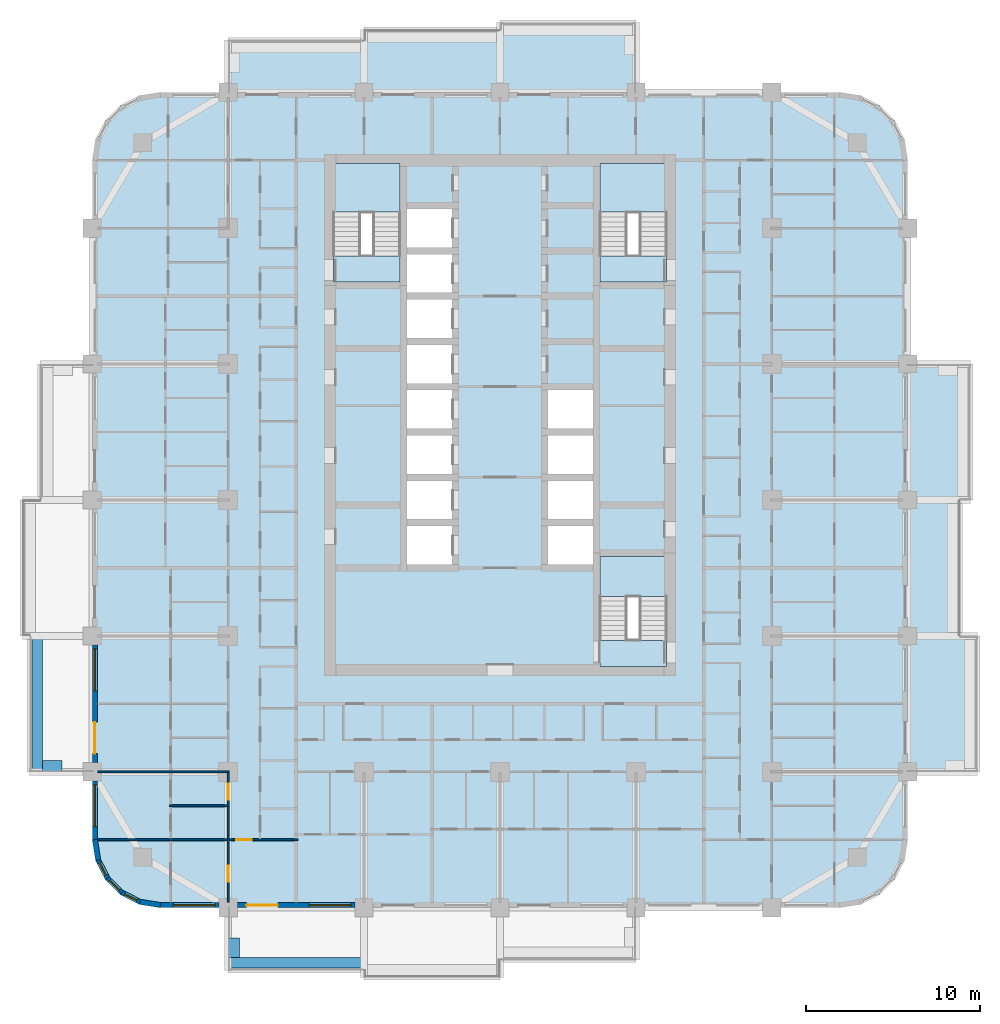
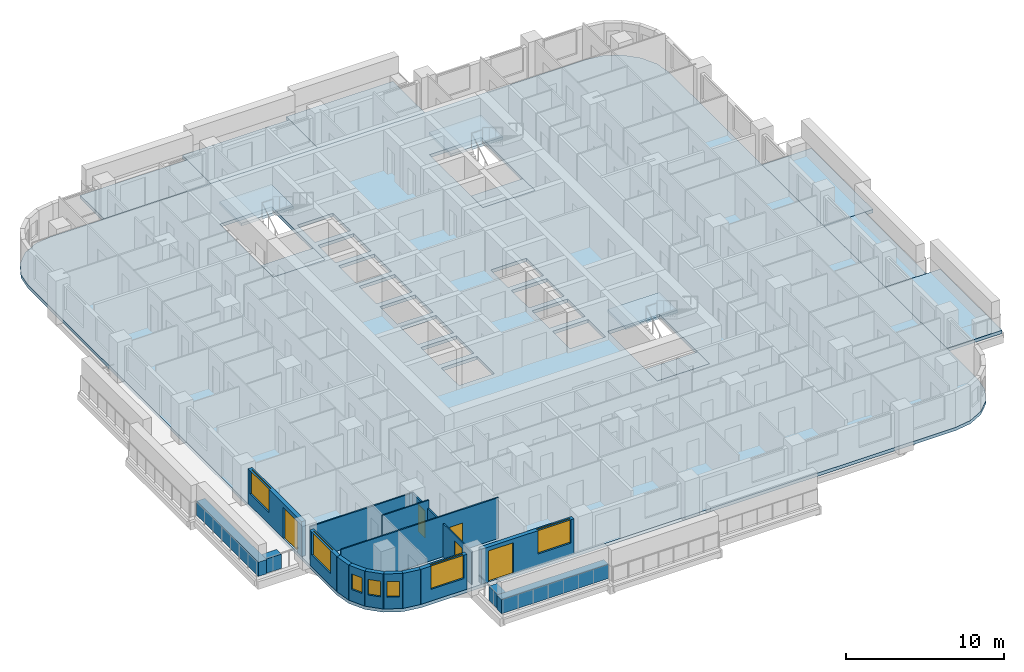
# One storey, part 2 of 17: 17 walls, 13 slabs, 7 windows, 5 doors, 12 openings, 3 elements without a shape of their own.
"""IFC4 building model written with IfcOpenShell, lengths in metres."""

from ifc_helpers import new_model, si_unit, direction, frame, frame_2d, origin, place, context, subcontext, project, spatial, polyline, rectangle, outline, extrude, material, layer, layer_set, type_object, element, fill, aggregate, save


model = new_model("IFC4")

# Units and contexts
model_context = context("Model", 3, precision=1e-05, world=origin(), true_north=direction((0.0, 1.0)))
body_context = subcontext(model_context, "Body", "Model", "MODEL_VIEW")
ifc_project = project(units=[si_unit("LENGTHUNIT", "METRE"), si_unit("AREAUNIT", "SQUARE_METRE"), si_unit("VOLUMEUNIT", "CUBIC_METRE"), si_unit("PLANEANGLEUNIT", "RADIAN"), si_unit("MASSUNIT", "GRAM", prefix="KILO")], contexts=[model_context])

# Site, building, storey
site_placement = place(None, origin())
site = spatial("IfcSite", under=ifc_project, at=site_placement, CompositionType="ELEMENT")
building_placement = place(site_placement, origin())
building = spatial("IfcBuilding", under=site, at=building_placement, Name="Ludao Terraces", CompositionType="ELEMENT")
storey_placement = place(building_placement, frame((0.0, 0.0, 54.60009765625)))
storey = spatial("IfcBuildingStorey", under=building, at=storey_placement, Name="L14", CompositionType="ELEMENT", Elevation=54.60009765625)

# Slabs
ifc_material_1 = material(Name="Concrete C40", Category="concrete")
ifc_layer_1 = layer(ifc_material_1, 0.25)
ifc_layer_set_1 = layer_set([ifc_layer_1], Name="Balcony slab 250 C40")
slab_type_1 = type_object("IfcSlabType", Name="Balcony slab 250 C40", PredefinedType="USERDEFINED", material=ifc_layer_set_1)
slab_1_placement = place(storey_placement, frame((0.0, 0.0, -0.25)))
element("IfcSlab", 1, at=slab_1_placement, inside=storey, type_object=slab_type_1, Name="Balcony L14 E1", ObjectType="BALCONY", PredefinedType="USERDEFINED", context=body_context, shape_type="SweptSolid", body=[
    extrude(outline(polyline([(108.39990234375, 49.39990234375), (112.39990234375, 49.39990234375), (112.39990234375, 57.199951171875), (108.39990234375, 57.199951171875), (108.39990234375, 49.39990234375)])), origin(), (0.0, 0.0, 1.0), 0.25),
])
slab_2_placement = place(storey_placement, frame((0.0, 0.0, -0.25)))
element("IfcSlab", 2, at=slab_2_placement, inside=storey, type_object=slab_type_1, Name="Balcony L14 E2", ObjectType="BALCONY", PredefinedType="USERDEFINED", context=body_context, shape_type="SweptSolid", body=[
    extrude(outline(polyline([(108.39990234375, 57.199951171875), (111.39990234375, 57.199951171875), (111.39990234375, 65.0), (108.39990234375, 65.0), (108.39990234375, 57.199951171875)])), origin(), (0.0, 0.0, 1.0), 0.25),
])
slab_3_placement = place(storey_placement, frame((0.0, 0.0, -0.25)))
element("IfcSlab", 3, at=slab_3_placement, inside=storey, type_object=slab_type_1, Name="Balcony L14 E3", ObjectType="BALCONY", PredefinedType="USERDEFINED", context=body_context, shape_type="SweptSolid", body=[
    extrude(outline(polyline([(108.39990234375, 65.0), (112.0, 65.0), (112.0, 72.800048828125), (108.39990234375, 72.800048828125), (108.39990234375, 65.0)])), origin(), (0.0, 0.0, 1.0), 0.25),
])
slab_4_placement = place(storey_placement, frame((0.0, 0.0, -0.25)))
element("IfcSlab", 4, at=slab_4_placement, inside=storey, type_object=slab_type_1, Name="Balcony L14 N1", ObjectType="BALCONY", PredefinedType="USERDEFINED", context=body_context, shape_type="SweptSolid", body=[
    extrude(outline(polyline([(69.39990234375, 88.39990234375), (77.199951171875, 88.39990234375), (77.199951171875, 91.39990234375), (69.39990234375, 91.39990234375), (69.39990234375, 88.39990234375)])), origin(), (0.0, 0.0, 1.0), 0.25),
])
slab_5_placement = place(storey_placement, frame((0.0, 0.0, -0.25)))
element("IfcSlab", 5, at=slab_5_placement, inside=storey, type_object=slab_type_1, Name="Balcony L14 N2", ObjectType="BALCONY", PredefinedType="USERDEFINED", context=body_context, shape_type="SweptSolid", body=[
    extrude(outline(polyline([(77.199951171875, 88.39990234375), (85.0, 88.39990234375), (85.0, 92.0), (77.199951171875, 92.0), (77.199951171875, 88.39990234375)])), origin(), (0.0, 0.0, 1.0), 0.25),
])
slab_6_placement = place(storey_placement, frame((0.0, 0.0, -0.25)))
element("IfcSlab", 6, at=slab_6_placement, inside=storey, type_object=slab_type_1, Name="Balcony L14 N3", ObjectType="BALCONY", PredefinedType="USERDEFINED", context=body_context, shape_type="SweptSolid", body=[
    extrude(outline(polyline([(85.0, 88.39990234375), (92.800048828125, 88.39990234375), (92.800048828125, 92.39990234375), (85.0, 92.39990234375), (85.0, 88.39990234375)])), origin(), (0.0, 0.0, 1.0), 0.25),
])
ifc_layer_2 = layer(ifc_material_1, 0.25)
ifc_layer_set_2 = layer_set([ifc_layer_2], Name="Floor slab 250 C40")
slab_type_2 = type_object("IfcSlabType", Name="Floor slab 250 C40", PredefinedType="FLOOR", material=ifc_layer_set_2)
slab_7_placement = place(storey_placement, frame((0.0, 0.0, -0.25)))
element("IfcSlab", 7, at=slab_7_placement, inside=storey, type_object=slab_type_2, Name="Slab L14", PredefinedType="FLOOR", context=body_context, shape_type="SweptSolid", body=[
    extrude(outline(polyline([(104.5, 41.60009765625), (105.705078125, 41.790771484375), (106.79248046875, 42.3447265625), (107.6552734375, 43.20751953125), (108.209228515625, 44.294921875), (108.39990234375, 45.5), (108.39990234375, 84.5), (108.209228515625, 85.705078125), (107.6552734375, 86.79248046875), (106.79248046875, 87.6552734375), (105.705078125, 88.209228515625), (104.5, 88.39990234375), (65.5, 88.39990234375), (64.294921875, 88.209228515625), (63.20751953125, 87.6552734375), (62.3447265625, 86.79248046875), (61.790771484375, 85.705078125), (61.60009765625, 84.5), (61.60009765625, 45.5), (61.790771484375, 44.294921875), (62.3447265625, 43.20751953125), (63.20751953125, 42.3447265625), (64.294921875, 41.790771484375), (65.5, 41.60009765625), (104.5, 41.60009765625)]), holes=[polyline([(79.64990234375, 61.300048828125), (82.25, 61.300048828125), (82.25, 63.5), (79.64990234375, 63.5), (79.64990234375, 61.300048828125)]), polyline([(79.64990234375, 63.89990234375), (82.25, 63.89990234375), (82.25, 66.10009765625), (79.64990234375, 66.10009765625), (79.64990234375, 63.89990234375)]), polyline([(79.64990234375, 66.5), (82.25, 66.5), (82.25, 68.699951171875), (79.64990234375, 68.699951171875), (79.64990234375, 66.5)]), polyline([(79.64990234375, 69.10009765625), (82.25, 69.10009765625), (82.25, 71.300048828125), (79.64990234375, 71.300048828125), (79.64990234375, 69.10009765625)]), polyline([(79.64990234375, 71.699951171875), (82.25, 71.699951171875), (82.25, 73.89990234375), (79.64990234375, 73.89990234375), (79.64990234375, 71.699951171875)]), polyline([(79.64990234375, 74.300048828125), (82.25, 74.300048828125), (82.25, 76.5), (79.64990234375, 76.5), (79.64990234375, 74.300048828125)]), polyline([(79.64990234375, 76.89990234375), (82.25, 76.89990234375), (82.25, 79.10009765625), (79.64990234375, 79.10009765625), (79.64990234375, 76.89990234375)]), polyline([(79.64990234375, 79.5), (82.25, 79.5), (82.25, 81.699951171875), (79.64990234375, 81.699951171875), (79.64990234375, 79.5)]), polyline([(87.75, 61.300048828125), (90.35009765625, 61.300048828125), (90.35009765625, 63.5), (87.75, 63.5), (87.75, 61.300048828125)]), polyline([(87.75, 63.89990234375), (90.35009765625, 63.89990234375), (90.35009765625, 66.10009765625), (87.75, 66.10009765625), (87.75, 63.89990234375)]), polyline([(87.75, 66.5), (90.35009765625, 66.5), (90.35009765625, 68.699951171875), (87.75, 68.699951171875), (87.75, 66.5)]), polyline([(87.75, 69.10009765625), (90.35009765625, 69.10009765625), (90.35009765625, 71.300048828125), (87.75, 71.300048828125), (87.75, 69.10009765625)]), polyline([(75.449951171875, 77.5), (79.25, 77.5), (79.25, 84.239990234375), (75.449951171875, 84.239990234375), (75.449951171875, 77.5)]), polyline([(90.75, 77.5), (94.550048828125, 77.5), (94.550048828125, 84.239990234375), (90.75, 84.239990234375), (90.75, 77.5)]), polyline([(90.75, 55.449951171875), (94.550048828125, 55.449951171875), (94.550048828125, 61.75), (90.75, 61.75), (90.75, 55.449951171875)])]), origin(), (0.0, 0.0, 1.0), 0.25),
])

# Stair, slabs
stair_type = type_object("IfcStairType", Name="INT Stair", PredefinedType="HALF_TURN_STAIR", material=ifc_material_1)
stair_1_placement = place(storey_placement, origin())
stair_1 = element("IfcStair", 8, at=stair_1_placement, inside=storey, type_object=stair_type, Name="EXIT STAIR 1", PredefinedType="HALF_TURN_STAIR")
ifc_layer_3 = layer(ifc_material_1, 0.199951171875)
ifc_layer_set_3 = layer_set([ifc_layer_3], Name="INT Stair landing 200")
slab_type_3 = type_object("IfcSlabType", Name="INT Stair landing 200", PredefinedType="LANDING", material=ifc_layer_set_3)
slab_8_placement = place(storey_placement, frame((0.0, 0.0, 1.5)))
slab_8 = element("IfcSlab", 9, at=slab_8_placement, type_object=slab_type_3, Name="ST1 landing 1", PredefinedType="LANDING", context=body_context, shape_type="SweptSolid", body=[
    extrude(outline(polyline([(75.449951171875, 81.52001953125), (79.25, 81.52001953125), (79.25, 84.300048828125), (75.449951171875, 84.300048828125), (75.449951171875, 81.52001953125)])), origin(), (0.0, 0.0, 1.0), 0.199951171875),
])
slab_9_placement = place(storey_placement, frame((0.0, 0.0, -0.2001953125)))
slab_9 = element("IfcSlab", 10, at=slab_9_placement, type_object=slab_type_3, Name="ST1 landing 2", PredefinedType="LANDING", context=body_context, shape_type="SweptSolid", body=[
    extrude(outline(polyline([(75.449951171875, 77.5), (79.25, 77.5), (79.25, 79.0), (75.449951171875, 79.0), (75.449951171875, 77.5)])), origin(), (0.0, 0.0, 1.0), 0.2001953125),
])
aggregate(stair_1, [slab_8, slab_9])

stair_2_placement = place(storey_placement, origin())
stair_2 = element("IfcStair", 11, at=stair_2_placement, inside=storey, type_object=stair_type, Name="EXIT STAIR 2", PredefinedType="HALF_TURN_STAIR")
slab_10_placement = place(storey_placement, frame((0.0, 0.0, 1.5)))
slab_10 = element("IfcSlab", 12, at=slab_10_placement, type_object=slab_type_3, Name="ST2 landing 1", PredefinedType="LANDING", context=body_context, shape_type="SweptSolid", body=[
    extrude(outline(polyline([(90.75, 81.52001953125), (94.550048828125, 81.52001953125), (94.550048828125, 84.300048828125), (90.75, 84.300048828125), (90.75, 81.52001953125)])), origin(), (0.0, 0.0, 1.0), 0.199951171875),
])
slab_11_placement = place(storey_placement, frame((0.0, 0.0, -0.2001953125)))
slab_11 = element("IfcSlab", 13, at=slab_11_placement, type_object=slab_type_3, Name="ST2 landing 2", PredefinedType="LANDING", context=body_context, shape_type="SweptSolid", body=[
    extrude(outline(polyline([(90.75, 77.5), (94.550048828125, 77.5), (94.550048828125, 79.0), (90.75, 79.0), (90.75, 77.5)])), origin(), (0.0, 0.0, 1.0), 0.2001953125),
])
aggregate(stair_2, [slab_10, slab_11])

stair_3_placement = place(storey_placement, origin())
stair_3 = element("IfcStair", 14, at=stair_3_placement, inside=storey, type_object=stair_type, Name="EXIT STAIR 3", PredefinedType="HALF_TURN_STAIR")
slab_12_placement = place(storey_placement, frame((0.0, 0.0, 1.5)))
slab_12 = element("IfcSlab", 15, at=slab_12_placement, type_object=slab_type_3, Name="ST3 landing 1", PredefinedType="LANDING", context=body_context, shape_type="SweptSolid", body=[
    extrude(outline(polyline([(90.75, 59.469970703125), (94.550048828125, 59.469970703125), (94.550048828125, 61.75), (90.75, 61.75), (90.75, 59.469970703125)])), origin(), (0.0, 0.0, 1.0), 0.199951171875),
])
slab_13_placement = place(storey_placement, frame((0.0, 0.0, -0.2001953125)))
slab_13 = element("IfcSlab", 16, at=slab_13_placement, type_object=slab_type_3, Name="ST3 landing 2", PredefinedType="LANDING", context=body_context, shape_type="SweptSolid", body=[
    extrude(outline(polyline([(90.75, 55.449951171875), (94.550048828125, 55.449951171875), (94.550048828125, 56.949951171875), (90.75, 56.949951171875), (90.75, 55.449951171875)])), origin(), (0.0, 0.0, 1.0), 0.2001953125),
])
aggregate(stair_3, [slab_12, slab_13])

# Walls
ifc_layer_4 = layer(ifc_material_1, 0.60009765625)
ifc_layer_set_4 = layer_set([ifc_layer_4], Name="ENV Planter trough 600")
wall_type_1 = type_object("IfcWallType", Name="ENV Planter trough 600", PredefinedType="USERDEFINED", material=ifc_layer_set_4)
wall_1_placement = place(storey_placement, frame((69.39990234375, 38.449951171875, 0.0), z_axis=(0.0, 0.0, 1.0), x_axis=(1.0, 0.0, 0.0)))
element("IfcWall", 17, at=wall_1_placement, inside=storey, type_object=wall_type_1, Name="PL-L14-S1", ObjectType="PLANTER", PredefinedType="USERDEFINED", context=body_context, shape_type="SweptSolid", body=[
    extrude(rectangle(XDim=7.800048828125, YDim=0.60009765625, at=frame_2d((3.89990234375, 0.0))), origin(), (0.0, 0.0, 1.0), 1.099853515625),
])
wall_2_placement = place(storey_placement, frame((69.75, 38.75, 0.0), z_axis=(0.0, 0.0, 1.0), x_axis=(0.0, 1.0, 0.0)))
element("IfcWall", 18, at=wall_2_placement, inside=storey, type_object=wall_type_1, Name="PL-L14-S1-SA", ObjectType="PLANTER", PredefinedType="USERDEFINED", context=body_context, shape_type="SweptSolid", body=[
    extrude(rectangle(XDim=1.10009765625, YDim=0.60009765625, at=frame_2d((0.550048828125, 0.0))), origin(), (0.0, 0.0, 1.0), 1.099853515625),
])
wall_3_placement = place(storey_placement, frame((58.449951171875, 49.39990234375, 0.0), z_axis=(0.0, 0.0, 1.0), x_axis=(0.0, 1.0, 0.0)))
element("IfcWall", 19, at=wall_3_placement, inside=storey, type_object=wall_type_1, Name="PL-L14-W1", ObjectType="PLANTER", PredefinedType="USERDEFINED", context=body_context, shape_type="SweptSolid", body=[
    extrude(rectangle(XDim=7.800048828125, YDim=0.60009765625, at=frame_2d((3.89990234375, 0.0))), origin(), (0.0, 0.0, 1.0), 1.099853515625),
])
wall_4_placement = place(storey_placement, frame((58.75, 49.75, 0.0), z_axis=(0.0, 0.0, 1.0), x_axis=(1.0, 0.0, 0.0)))
element("IfcWall", 20, at=wall_4_placement, inside=storey, type_object=wall_type_1, Name="PL-L14-W1-SA", ObjectType="PLANTER", PredefinedType="USERDEFINED", context=body_context, shape_type="SweptSolid", body=[
    extrude(rectangle(XDim=1.10009765625, YDim=0.60009765625, at=frame_2d((0.550048828125, 0.0))), origin(), (0.0, 0.0, 1.0), 1.099853515625),
])

# Wall, opening, window
ifc_material_2 = material(Name="Granite cladding", Category="masonry")
ifc_layer_5 = layer(ifc_material_2, 0.0400390625, Category="stone")
ifc_material_3 = material(Name="Mineral wool")
ifc_layer_6 = layer(ifc_material_3, 0.06005859375)
ifc_layer_7 = layer(ifc_material_1, 0.199951171875, Category="concrete")
ifc_layer_set_5 = layer_set([ifc_layer_5, ifc_layer_6, ifc_layer_7], Name="ENV Stone-clad wall 300")
wall_type_2 = type_object("IfcWallType", Name="ENV Stone-clad wall 300", PredefinedType="SOLIDWALL", material=ifc_layer_set_5)
wall_5_placement = place(storey_placement, frame((65.5, 41.75, 0.0), z_axis=(0.0, 0.0, 1.0), x_axis=(1.0, 0.0, 0.0)))
wall_5 = element("IfcWall", 21, at=wall_5_placement, inside=storey, type_object=wall_type_2, Name="EW-L14-S1", PredefinedType="SOLIDWALL", context=body_context, shape_type="SweptSolid", body=[
    extrude(rectangle(XDim=3.375, YDim=0.300048828125, at=frame_2d((1.6875, 0.0))), origin(), (0.0, 0.0, 1.0), 2.699951171875),
])
opening_1_placement = place(wall_5_placement, frame((0.75, 0.0, 0.89990234375)))
opening_1 = element("IfcOpeningElement", 22, at=opening_1_placement, cuts=wall_5, Name="Opening W1", PredefinedType="OPENING", context=body_context, shape_type="SweptSolid", body=[
    extrude(rectangle(XDim=2.39990234375, YDim=1.800048828125, at=frame_2d((1.199951171875, 0.89990234375))), frame((0.0, 0.16015625, 0.0), z_axis=(0.0, -1.0, 0.0), x_axis=(1.0, 0.0, 0.0)), (0.0, 0.0, 1.0), 0.320068359375),
])
ifc_material_4 = material(Name="Clear glass in aluminium frame", Category="aluminium")
ifc_layer_8 = layer(ifc_material_4, 0.06005859375)
ifc_layer_set_6 = layer_set([ifc_layer_8], Name="ENV Window W1 2400x1800")
window_type_1 = type_object("IfcWindowType", Name="ENV Window W1 2400x1800", PartitioningType="DOUBLE_PANEL_VERTICAL", PredefinedType="WINDOW", material=ifc_layer_set_6)
window_1_placement = place(opening_1_placement, origin())
window_1 = element("IfcWindow", 23, at=window_1_placement, inside=storey, type_object=window_type_1, Name="W-L14-S1-1", OverallHeight=1.800048828125, OverallWidth=2.39990234375, PartitioningType="DOUBLE_PANEL_VERTICAL", PredefinedType="WINDOW", context=body_context, shape_type="SweptSolid", body=[
    extrude(rectangle(XDim=2.39990234375, YDim=1.800048828125, at=frame_2d((1.199951171875, 0.89990234375))), frame((0.0, 0.030029296875, 0.0), z_axis=(0.0, -1.0, 0.0), x_axis=(1.0, 0.0, 0.0)), (0.0, 0.0, 1.0), 0.06005859375),
])
fill(opening_1, window_1)

# Wall, openings, door, window
wall_6_placement = place(storey_placement, frame((69.925048828125, 41.75, 0.0), z_axis=(0.0, 0.0, 1.0), x_axis=(1.0, 0.0, 0.0)))
wall_6 = element("IfcWall", 24, at=wall_6_placement, inside=storey, type_object=wall_type_2, Name="EW-L14-S2", PredefinedType="SOLIDWALL", context=body_context, shape_type="SweptSolid", body=[
    extrude(rectangle(XDim=6.75, YDim=0.300048828125, at=frame_2d((3.375, 0.0))), origin(), (0.0, 0.0, 1.0), 2.699951171875),
])
opening_2_placement = place(wall_6_placement, frame((0.52490234375, 0.0, 0.0)))
opening_2 = element("IfcOpeningElement", 25, at=opening_2_placement, cuts=wall_6, Name="Opening BD", PredefinedType="OPENING", context=body_context, shape_type="SweptSolid", body=[
    extrude(rectangle(XDim=1.800048828125, YDim=2.39990234375, at=frame_2d((0.89990234375, 1.199951171875))), frame((0.0, 0.16015625, 0.0), z_axis=(0.0, -1.0, 0.0), x_axis=(1.0, 0.0, 0.0)), (0.0, 0.0, 1.0), 0.320068359375),
])
opening_3_placement = place(wall_6_placement, frame((4.125, 0.0, 0.89990234375)))
opening_3 = element("IfcOpeningElement", 26, at=opening_3_placement, cuts=wall_6, Name="Opening W1", PredefinedType="OPENING", context=body_context, shape_type="SweptSolid", body=[
    extrude(rectangle(XDim=2.39990234375, YDim=1.800048828125, at=frame_2d((1.199951171875, 0.89990234375))), frame((0.0, 0.16015625, 0.0), z_axis=(0.0, -1.0, 0.0), x_axis=(1.0, 0.0, 0.0)), (0.0, 0.0, 1.0), 0.320068359375),
])
ifc_material_5 = material(Name="Aluminium glazed door", Category="aluminium")
ifc_layer_9 = layer(ifc_material_5, 0.06005859375)
ifc_layer_set_7 = layer_set([ifc_layer_9], Name="ENV Balcony door BD 1800x2400")
door_type_1 = type_object("IfcDoorType", Name="ENV Balcony door BD 1800x2400", OperationType="DOUBLE_DOOR_SINGLE_SWING", PredefinedType="DOOR", material=ifc_layer_set_7)
door_1_placement = place(opening_2_placement, origin())
door_1 = element("IfcDoor", 27, at=door_1_placement, inside=storey, type_object=door_type_1, Name="BD-L14-S2-1", OperationType="DOUBLE_DOOR_SINGLE_SWING", OverallHeight=2.39990234375, OverallWidth=1.800048828125, PredefinedType="DOOR", context=body_context, shape_type="SweptSolid", body=[
    extrude(rectangle(XDim=1.800048828125, YDim=2.39990234375, at=frame_2d((0.89990234375, 1.199951171875))), frame((0.0, 0.02490234375, 0.0), z_axis=(0.0, -1.0, 0.0), x_axis=(1.0, 0.0, 0.0)), (0.0, 0.0, 1.0), 0.050048828125),
])
fill(opening_2, door_1)
window_2_placement = place(opening_3_placement, origin())
window_2 = element("IfcWindow", 28, at=window_2_placement, inside=storey, type_object=window_type_1, Name="W-L14-S2-2", OverallHeight=1.800048828125, OverallWidth=2.39990234375, PartitioningType="DOUBLE_PANEL_VERTICAL", PredefinedType="WINDOW", context=body_context, shape_type="SweptSolid", body=[
    extrude(rectangle(XDim=2.39990234375, YDim=1.800048828125, at=frame_2d((1.199951171875, 0.89990234375))), frame((0.0, 0.030029296875, 0.0), z_axis=(0.0, -1.0, 0.0), x_axis=(1.0, 0.0, 0.0)), (0.0, 0.0, 1.0), 0.06005859375),
])
fill(opening_3, window_2)

# Wall, opening, window
wall_7_placement = place(storey_placement, frame((61.75, 45.5, 0.0), z_axis=(0.0, 0.0, 1.0), x_axis=(0.0, 1.0, 0.0)))
wall_7 = element("IfcWall", 29, at=wall_7_placement, inside=storey, type_object=wall_type_2, Name="EW-L14-W1", PredefinedType="SOLIDWALL", context=body_context, shape_type="SweptSolid", body=[
    extrude(rectangle(XDim=3.375, YDim=0.300048828125, at=frame_2d((1.6875, 0.0))), origin(), (0.0, 0.0, 1.0), 2.699951171875),
])
opening_4_placement = place(wall_7_placement, frame((0.75, 0.0, 0.89990234375)))
opening_4 = element("IfcOpeningElement", 30, at=opening_4_placement, cuts=wall_7, Name="Opening W1", PredefinedType="OPENING", context=body_context, shape_type="SweptSolid", body=[
    extrude(rectangle(XDim=2.39990234375, YDim=1.800048828125, at=frame_2d((1.199951171875, 0.89990234375))), frame((0.0, 0.16015625, 0.0), z_axis=(0.0, -1.0, 0.0), x_axis=(1.0, 0.0, 0.0)), (0.0, 0.0, 1.0), 0.320068359375),
])
window_3_placement = place(opening_4_placement, origin())
window_3 = element("IfcWindow", 31, at=window_3_placement, inside=storey, type_object=window_type_1, Name="W-L14-W1-1", OverallHeight=1.800048828125, OverallWidth=2.39990234375, PartitioningType="DOUBLE_PANEL_VERTICAL", PredefinedType="WINDOW", context=body_context, shape_type="SweptSolid", body=[
    extrude(rectangle(XDim=2.39990234375, YDim=1.800048828125, at=frame_2d((1.199951171875, 0.89990234375))), frame((0.0, 0.030029296875, 0.0), z_axis=(0.0, -1.0, 0.0), x_axis=(1.0, 0.0, 0.0)), (0.0, 0.0, 1.0), 0.06005859375),
])
fill(opening_4, window_3)

# Wall, openings, door, window
wall_8_placement = place(storey_placement, frame((61.75, 49.925048828125, 0.0), z_axis=(0.0, 0.0, 1.0), x_axis=(0.0, 1.0, 0.0)))
wall_8 = element("IfcWall", 32, at=wall_8_placement, inside=storey, type_object=wall_type_2, Name="EW-L14-W2", PredefinedType="SOLIDWALL", context=body_context, shape_type="SweptSolid", body=[
    extrude(rectangle(XDim=6.75, YDim=0.300048828125, at=frame_2d((3.375, 0.0))), origin(), (0.0, 0.0, 1.0), 2.699951171875),
])
opening_5_placement = place(wall_8_placement, frame((0.52490234375, 0.0, 0.0)))
opening_5 = element("IfcOpeningElement", 33, at=opening_5_placement, cuts=wall_8, Name="Opening BD", PredefinedType="OPENING", context=body_context, shape_type="SweptSolid", body=[
    extrude(rectangle(XDim=1.800048828125, YDim=2.39990234375, at=frame_2d((0.89990234375, 1.199951171875))), frame((0.0, 0.16015625, 0.0), z_axis=(0.0, -1.0, 0.0), x_axis=(1.0, 0.0, 0.0)), (0.0, 0.0, 1.0), 0.320068359375),
])
opening_6_placement = place(wall_8_placement, frame((4.125, 0.0, 0.89990234375)))
opening_6 = element("IfcOpeningElement", 34, at=opening_6_placement, cuts=wall_8, Name="Opening W1", PredefinedType="OPENING", context=body_context, shape_type="SweptSolid", body=[
    extrude(rectangle(XDim=2.39990234375, YDim=1.800048828125, at=frame_2d((1.199951171875, 0.89990234375))), frame((0.0, 0.16015625, 0.0), z_axis=(0.0, -1.0, 0.0), x_axis=(1.0, 0.0, 0.0)), (0.0, 0.0, 1.0), 0.320068359375),
])
door_2_placement = place(opening_5_placement, origin())
door_2 = element("IfcDoor", 35, at=door_2_placement, inside=storey, type_object=door_type_1, Name="BD-L14-W2-1", OperationType="DOUBLE_DOOR_SINGLE_SWING", OverallHeight=2.39990234375, OverallWidth=1.800048828125, PredefinedType="DOOR", context=body_context, shape_type="SweptSolid", body=[
    extrude(rectangle(XDim=1.800048828125, YDim=2.39990234375, at=frame_2d((0.89990234375, 1.199951171875))), frame((0.0, 0.02490234375, 0.0), z_axis=(0.0, -1.0, 0.0), x_axis=(1.0, 0.0, 0.0)), (0.0, 0.0, 1.0), 0.050048828125),
])
fill(opening_5, door_2)
window_4_placement = place(opening_6_placement, origin())
window_4 = element("IfcWindow", 36, at=window_4_placement, inside=storey, type_object=window_type_1, Name="W-L14-W2-2", OverallHeight=1.800048828125, OverallWidth=2.39990234375, PartitioningType="DOUBLE_PANEL_VERTICAL", PredefinedType="WINDOW", context=body_context, shape_type="SweptSolid", body=[
    extrude(rectangle(XDim=2.39990234375, YDim=1.800048828125, at=frame_2d((1.199951171875, 0.89990234375))), frame((0.0, 0.030029296875, 0.0), z_axis=(0.0, -1.0, 0.0), x_axis=(1.0, 0.0, 0.0)), (0.0, 0.0, 1.0), 0.06005859375),
])
fill(opening_6, window_4)

# Wall
wall_9_placement = place(storey_placement, frame((61.75, 45.5, 0.0), z_axis=(0.0, 0.0, 1.0), x_axis=(0.156496880861, -0.987678452879, 0.0)))
element("IfcWall", 37, at=wall_9_placement, inside=storey, type_object=wall_type_2, Name="EW-L14-SW1", PredefinedType="SOLIDWALL", context=body_context, shape_type="SweptSolid", body=[
    extrude(rectangle(XDim=1.173095703125, YDim=0.300048828125, at=frame_2d((0.58642578125, 0.0))), origin(), (0.0, 0.0, 1.0), 2.699951171875),
])

# Wall, opening, window
wall_10_placement = place(storey_placement, frame((61.93359375, 44.34130859375, 0.0), z_axis=(0.0, 0.0, 1.0), x_axis=(0.454025524128, -0.890988677504, 0.0)))
wall_10 = element("IfcWall", 38, at=wall_10_placement, inside=storey, type_object=wall_type_2, Name="EW-L14-SW2", PredefinedType="SOLIDWALL", context=body_context, shape_type="SweptSolid", body=[
    extrude(rectangle(XDim=1.17333984375, YDim=0.300048828125, at=frame_2d((0.586669921875, 0.0))), origin(), (0.0, 0.0, 1.0), 2.699951171875),
])
opening_7_placement = place(wall_10_placement, frame((0.1865234375, 0.0, 0.89990234375)))
opening_7 = element("IfcOpeningElement", 39, at=opening_7_placement, cuts=wall_10, Name="Opening W3", PredefinedType="OPENING", context=body_context, shape_type="SweptSolid", body=[
    extrude(rectangle(XDim=0.800048828125, YDim=1.199951171875, at=frame_2d((0.39990234375, 0.60009765625))), frame((0.0, 0.16015625, 0.0), z_axis=(0.0, -1.0, 0.0), x_axis=(1.0, 0.0, 0.0)), (0.0, 0.0, 1.0), 0.320068359375),
])
ifc_layer_10 = layer(ifc_material_4, 0.06005859375)
ifc_layer_set_8 = layer_set([ifc_layer_10], Name="ENV Window W3 800x1200")
window_type_2 = type_object("IfcWindowType", Name="ENV Window W3 800x1200", PartitioningType="SINGLE_PANEL", PredefinedType="WINDOW", material=ifc_layer_set_8)
window_5_placement = place(opening_7_placement, origin())
window_5 = element("IfcWindow", 40, at=window_5_placement, inside=storey, type_object=window_type_2, Name="W-L14-SW2", OverallHeight=1.199951171875, OverallWidth=0.800048828125, PartitioningType="SINGLE_PANEL", PredefinedType="WINDOW", context=body_context, shape_type="SweptSolid", body=[
    extrude(rectangle(XDim=0.800048828125, YDim=1.199951171875, at=frame_2d((0.39990234375, 0.60009765625))), frame((0.0, 0.030029296875, 0.0), z_axis=(0.0, -1.0, 0.0), x_axis=(1.0, 0.0, 0.0)), (0.0, 0.0, 1.0), 0.06005859375),
])
fill(opening_7, window_5)

wall_11_placement = place(storey_placement, frame((62.46630859375, 43.2958984375, 0.0), z_axis=(0.0, 0.0, 1.0), x_axis=(0.707106781187, -0.707106781187, 0.0)))
wall_11 = element("IfcWall", 41, at=wall_11_placement, inside=storey, type_object=wall_type_2, Name="EW-L14-SW3", PredefinedType="SOLIDWALL", context=body_context, shape_type="SweptSolid", body=[
    extrude(rectangle(XDim=1.173095703125, YDim=0.300048828125, at=frame_2d((0.58642578125, 0.0))), origin(), (0.0, 0.0, 1.0), 2.699951171875),
])
opening_8_placement = place(wall_11_placement, frame((0.1865234375, 0.0, 0.89990234375)))
opening_8 = element("IfcOpeningElement", 42, at=opening_8_placement, cuts=wall_11, Name="Opening W3", PredefinedType="OPENING", context=body_context, shape_type="SweptSolid", body=[
    extrude(rectangle(XDim=0.800048828125, YDim=1.199951171875, at=frame_2d((0.39990234375, 0.60009765625))), frame((0.0, 0.16015625, 0.0), z_axis=(0.0, -1.0, 0.0), x_axis=(1.0, 0.0, 0.0)), (0.0, 0.0, 1.0), 0.320068359375),
])
window_6_placement = place(opening_8_placement, origin())
window_6 = element("IfcWindow", 43, at=window_6_placement, inside=storey, type_object=window_type_2, Name="W-L14-SW3", OverallHeight=1.199951171875, OverallWidth=0.800048828125, PartitioningType="SINGLE_PANEL", PredefinedType="WINDOW", context=body_context, shape_type="SweptSolid", body=[
    extrude(rectangle(XDim=0.800048828125, YDim=1.199951171875, at=frame_2d((0.39990234375, 0.60009765625))), frame((0.0, 0.030029296875, 0.0), z_axis=(0.0, -1.0, 0.0), x_axis=(1.0, 0.0, 0.0)), (0.0, 0.0, 1.0), 0.06005859375),
])
fill(opening_8, window_6)

wall_12_placement = place(storey_placement, frame((63.2958984375, 42.46630859375, 0.0), z_axis=(0.0, 0.0, 1.0), x_axis=(0.890988677504, -0.454025524128, 0.0)))
wall_12 = element("IfcWall", 44, at=wall_12_placement, inside=storey, type_object=wall_type_2, Name="EW-L14-SW4", PredefinedType="SOLIDWALL", context=body_context, shape_type="SweptSolid", body=[
    extrude(rectangle(XDim=1.17333984375, YDim=0.300048828125, at=frame_2d((0.586669921875, 0.0))), origin(), (0.0, 0.0, 1.0), 2.699951171875),
])
opening_9_placement = place(wall_12_placement, frame((0.1865234375, 0.0, 0.89990234375)))
opening_9 = element("IfcOpeningElement", 45, at=opening_9_placement, cuts=wall_12, Name="Opening W3", PredefinedType="OPENING", context=body_context, shape_type="SweptSolid", body=[
    extrude(rectangle(XDim=0.800048828125, YDim=1.199951171875, at=frame_2d((0.39990234375, 0.60009765625))), frame((0.0, 0.16015625, 0.0), z_axis=(0.0, -1.0, 0.0), x_axis=(1.0, 0.0, 0.0)), (0.0, 0.0, 1.0), 0.320068359375),
])
window_7_placement = place(opening_9_placement, origin())
window_7 = element("IfcWindow", 46, at=window_7_placement, inside=storey, type_object=window_type_2, Name="W-L14-SW4", OverallHeight=1.199951171875, OverallWidth=0.800048828125, PartitioningType="SINGLE_PANEL", PredefinedType="WINDOW", context=body_context, shape_type="SweptSolid", body=[
    extrude(rectangle(XDim=0.800048828125, YDim=1.199951171875, at=frame_2d((0.39990234375, 0.60009765625))), frame((0.0, 0.030029296875, 0.0), z_axis=(0.0, -1.0, 0.0), x_axis=(1.0, 0.0, 0.0)), (0.0, 0.0, 1.0), 0.06005859375),
])
fill(opening_9, window_7)

# Wall
wall_13_placement = place(storey_placement, frame((64.34130859375, 41.93359375, 0.0), z_axis=(0.0, 0.0, 1.0), x_axis=(0.987678452879, -0.156496880861, 0.0)))
element("IfcWall", 47, at=wall_13_placement, inside=storey, type_object=wall_type_2, Name="EW-L14-SW5", PredefinedType="SOLIDWALL", context=body_context, shape_type="SweptSolid", body=[
    extrude(rectangle(XDim=1.173095703125, YDim=0.300048828125, at=frame_2d((0.58642578125, 0.0))), origin(), (0.0, 0.0, 1.0), 2.699951171875),
])

# Wall, opening, door
ifc_material_6 = material(Name="Gypsum plasterboard", Category="gypsum")
ifc_layer_11 = layer(ifc_material_6, 0.012451171875, Category="gypsum")
ifc_layer_12 = layer(ifc_material_3, 0.06005859375, Name="insulation")
ifc_material_7 = material(Name="Steel Q235", Category="steel")
ifc_layer_13 = layer(ifc_material_7, 0.014892578125, Name="stud")
ifc_layer_14 = layer(ifc_material_6, 0.012451171875, Category="gypsum")
ifc_layer_set_9 = layer_set([ifc_layer_11, ifc_layer_12, ifc_layer_13, ifc_layer_14], Name="INT Partition 100")
wall_type_3 = type_object("IfcWallType", Name="INT Partition 100", PredefinedType="PARTITIONING", material=ifc_layer_set_9)
wall_14_placement = place(storey_placement, frame((61.900146484375, 45.5, 0.0), z_axis=(0.0, 0.0, 1.0), x_axis=(1.0, 0.0, 0.0)))
wall_14 = element("IfcWall", 48, at=wall_14_placement, inside=storey, type_object=wall_type_3, Name="PW-L14-PW000", PredefinedType="PARTITIONING", context=body_context, shape_type="SweptSolid", body=[
    extrude(rectangle(XDim=11.5, YDim=0.10009765625, at=frame_2d((5.75, 0.0))), origin(), (0.0, 0.0, 1.0), 3.14990234375),
])
opening_10_placement = place(wall_14_placement, frame((7.965087890625, 0.0, 0.0)))
opening_10 = element("IfcOpeningElement", 49, at=opening_10_placement, cuts=wall_14, Name="Opening R04-005", PredefinedType="OPENING", context=body_context, shape_type="SweptSolid", body=[
    extrude(rectangle(XDim=0.89990234375, YDim=2.10009765625, at=frame_2d((0.449951171875, 1.050048828125))), frame((0.0, 0.06005859375, 0.0), z_axis=(0.0, -1.0, 0.0), x_axis=(1.0, 0.0, 0.0)), (0.0, 0.0, 1.0), 0.1201171875),
])
ifc_material_8 = material(Name="Timber door leaf", Category="wood")
door_type_2 = type_object("IfcDoorType", Name="INT Room door 900", OperationType="SINGLE_SWING_LEFT", PredefinedType="DOOR", material=ifc_material_8)
door_3_placement = place(opening_10_placement, origin())
door_3 = element("IfcDoor", 50, at=door_3_placement, inside=storey, type_object=door_type_2, Name="DOOR 005", OperationType="SINGLE_SWING_RIGHT", OverallHeight=2.10009765625, OverallWidth=0.89990234375, PredefinedType="DOOR", context=body_context, shape_type="SweptSolid", body=[
    extrude(rectangle(XDim=0.89990234375, YDim=2.10009765625, at=frame_2d((0.449951171875, 1.050048828125))), frame((0.0, 0.02490234375, 0.0), z_axis=(0.0, -1.0, 0.0), x_axis=(1.0, 0.0, 0.0)), (0.0, 0.0, 1.0), 0.050048828125),
])
fill(opening_10, door_3)

# Walls
wall_15_placement = place(storey_placement, frame((66.050048828125, 47.449951171875, 0.0), z_axis=(0.0, 0.0, 1.0), x_axis=(1.0, 0.0, 0.0)))
element("IfcWall", 51, at=wall_15_placement, inside=storey, type_object=wall_type_3, Name="PW-L14-PW006", PredefinedType="PARTITIONING", context=body_context, shape_type="SweptSolid", body=[
    extrude(rectangle(XDim=3.400146484375, YDim=0.10009765625, at=frame_2d((1.7001953125, 0.0))), origin(), (0.0, 0.0, 1.0), 3.14990234375),
])
wall_16_placement = place(storey_placement, frame((61.900146484375, 49.39990234375, 0.0), z_axis=(0.0, 0.0, 1.0), x_axis=(1.0, 0.0, 0.0)))
element("IfcWall", 52, at=wall_16_placement, inside=storey, type_object=wall_type_3, Name="PW-L14-PW008", PredefinedType="PARTITIONING", context=body_context, shape_type="SweptSolid", body=[
    extrude(rectangle(XDim=7.550048828125, YDim=0.10009765625, at=frame_2d((3.77490234375, 0.0))), origin(), (0.0, 0.0, 1.0), 2.5498046875),
])

# Wall, openings, doors
wall_17_placement = place(storey_placement, frame((69.39990234375, 41.900146484375, 0.0), z_axis=(0.0, 0.0, 1.0), x_axis=(0.0, 1.0, 0.0)))
wall_17 = element("IfcWall", 53, at=wall_17_placement, inside=storey, type_object=wall_type_3, Name="PW-L14-PW083", PredefinedType="PARTITIONING", context=body_context, shape_type="SweptSolid", body=[
    extrude(rectangle(XDim=7.499755859375, YDim=0.10009765625, at=frame_2d((3.75, 0.0))), origin(), (0.0, 0.0, 1.0), 2.5498046875),
])
opening_11_placement = place(wall_17_placement, frame((1.199951171875, 0.0, 0.0)))
opening_11 = element("IfcOpeningElement", 54, at=opening_11_placement, cuts=wall_17, Name="Opening R04-002", PredefinedType="OPENING", context=body_context, shape_type="SweptSolid", body=[
    extrude(rectangle(XDim=0.89990234375, YDim=2.10009765625, at=frame_2d((0.449951171875, 1.050048828125))), frame((0.0, 0.06005859375, 0.0), z_axis=(0.0, -1.0, 0.0), x_axis=(1.0, 0.0, 0.0)), (0.0, 0.0, 1.0), 0.1201171875),
])
opening_12_placement = place(wall_17_placement, frame((5.89990234375, 0.0, 0.0)))
opening_12 = element("IfcOpeningElement", 55, at=opening_12_placement, cuts=wall_17, Name="Opening R04-020", PredefinedType="OPENING", context=body_context, shape_type="SweptSolid", body=[
    extrude(rectangle(XDim=0.89990234375, YDim=2.10009765625, at=frame_2d((0.449951171875, 1.050048828125))), frame((0.0, 0.06005859375, 0.0), z_axis=(0.0, -1.0, 0.0), x_axis=(1.0, 0.0, 0.0)), (0.0, 0.0, 1.0), 0.1201171875),
])
door_4_placement = place(opening_11_placement, origin())
door_4 = element("IfcDoor", 56, at=door_4_placement, inside=storey, type_object=door_type_2, Name="DOOR 002", OperationType="SINGLE_SWING_LEFT", OverallHeight=2.10009765625, OverallWidth=0.89990234375, PredefinedType="DOOR", context=body_context, shape_type="SweptSolid", body=[
    extrude(rectangle(XDim=0.89990234375, YDim=2.10009765625, at=frame_2d((0.449951171875, 1.050048828125))), frame((0.0, 0.02490234375, 0.0), z_axis=(0.0, -1.0, 0.0), x_axis=(1.0, 0.0, 0.0)), (0.0, 0.0, 1.0), 0.050048828125),
])
fill(opening_11, door_4)
door_5_placement = place(opening_12_placement, origin())
door_5 = element("IfcDoor", 57, at=door_5_placement, inside=storey, type_object=door_type_2, Name="DOOR 020", OperationType="SINGLE_SWING_LEFT", OverallHeight=2.10009765625, OverallWidth=0.89990234375, PredefinedType="DOOR", context=body_context, shape_type="SweptSolid", body=[
    extrude(rectangle(XDim=0.89990234375, YDim=2.10009765625, at=frame_2d((0.449951171875, 1.050048828125))), frame((0.0, 0.02490234375, 0.0), z_axis=(0.0, -1.0, 0.0), x_axis=(1.0, 0.0, 0.0)), (0.0, 0.0, 1.0), 0.050048828125),
])
fill(opening_12, door_5)

save(model, "model.ifc")
